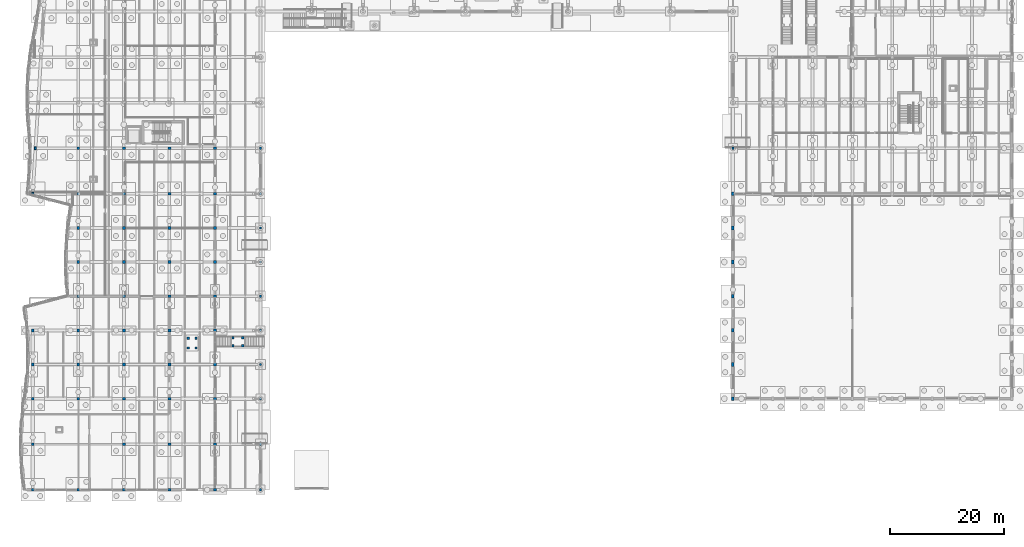
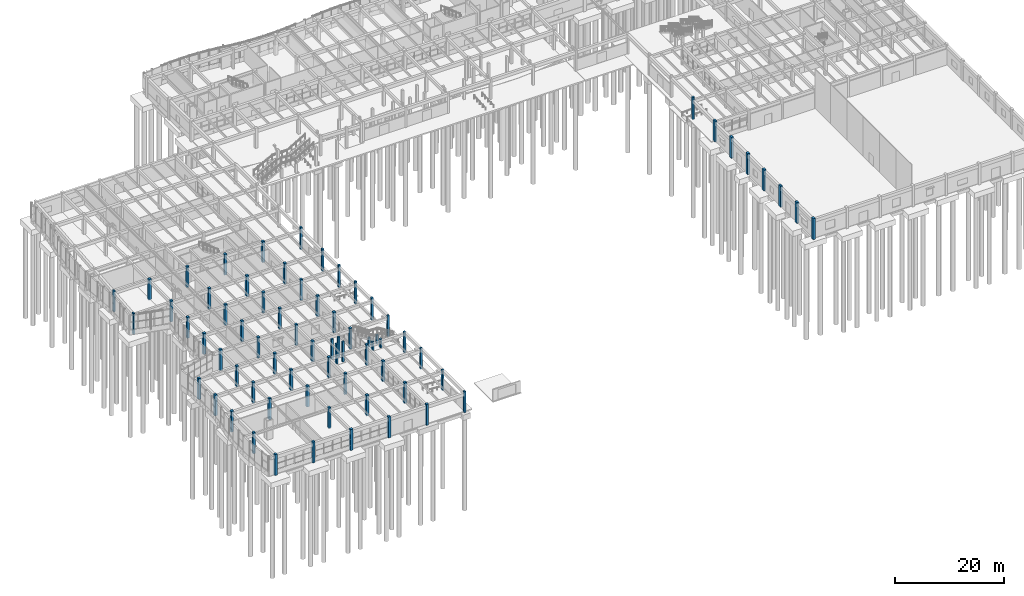
# One storey, part 10 of 99: 72 columns.
"""IFC4 building model written with IfcOpenShell, lengths in metres."""

from ifc_helpers import new_model, si_unit, direction, frame, origin, origin_2d, place, context, subcontext, project, spatial, rectangle, extrude, material, material_profile, profile_set, type_object, element, save


model = new_model("IFC4")

# Units and contexts
model_context = context("Model", 3, precision=1e-05, world=origin(), true_north=direction((0.0, 1.0)))
body_context = subcontext(model_context, "Body", "Model", "MODEL_VIEW")
ifc_project = project(units=[si_unit("LENGTHUNIT", "METRE"), si_unit("AREAUNIT", "SQUARE_METRE"), si_unit("VOLUMEUNIT", "CUBIC_METRE"), si_unit("PLANEANGLEUNIT", "RADIAN"), si_unit("MASSUNIT", "GRAM", prefix="KILO")], contexts=[model_context])

# Site, building, storey
site_placement = place(None, origin())
site = spatial("IfcSite", under=ifc_project, at=site_placement, CompositionType="ELEMENT")
building_placement = place(site_placement, origin())
building = spatial("IfcBuilding", under=site, at=building_placement, Name="Tonlespit Floodbar School", CompositionType="ELEMENT")
storey_placement = place(building_placement, origin())
storey = spatial("IfcBuildingStorey", under=building, at=storey_placement, Name="L00", CompositionType="ELEMENT", Elevation=0.0)

# Columns
ifc_material = material(Name="Concrete C40/50", Category="concrete")
ifc_material_profile_1 = material_profile(ifc_material, rectangle(XDim=0.39990234375, YDim=0.39990234375, at=origin_2d()), Name="RC 400x400")
ifc_profile_set_1 = profile_set([ifc_material_profile_1], Name="Concrete C40/50")
column_type_1 = type_object("IfcColumnType", Name="Column_RC_400x400", PredefinedType="COLUMN", material=ifc_profile_set_1)
for number, where, z_axis, x_axis, name in (
    (1, (44.0, 4.0, -0.199951171875), (0.0, 0.0, 1.0), (1.0, 0.0, 0.0), "L00 column U06/V01"),
    (2, (44.0, 12.0, -0.199951171875), (0.0, 0.0, 1.0), (1.0, 0.0, 0.0), "L00 column U06/V02"),
    (3, (44.0, 20.0, -0.199951171875), (0.0, 0.0, 1.0), (1.0, 0.0, 0.0), "L00 column U06/V03"),
    (4, (44.0, 26.0, -0.199951171875), (0.0, 0.0, 1.0), (1.0, 0.0, 0.0), "L00 column U06/V04"),
    (5, (44.0, 32.0, -0.199951171875), (0.0, 0.0, 1.0), (1.0, 0.0, 0.0), "L00 column U06/V05"),
):
    element("IfcColumn", number, at=place(storey_placement, frame(where, z_axis=z_axis, x_axis=x_axis)), inside=storey, type_object=column_type_1, Name=name, PredefinedType="COLUMN", context=body_context, shape_type="SweptSolid", body=[
        extrude(rectangle(XDim=0.39990234375, YDim=0.39990234375, at=origin_2d()), origin(), (0.0, 0.0, 1.0), 4.699951171875),
    ])
for number, where, z_axis, x_axis, name in (
    (6, (44.0, 38.0, -0.199951171875), (0.0, 0.0, 1.0), (1.0, 0.0, 0.0), "L00 column U06/V06"),
    (7, (44.0, 44.0, -0.199951171875), (0.0, 0.0, 1.0), (1.0, 0.0, 0.0), "L00 column U06/V07"),
    (8, (44.0, 50.0, -0.199951171875), (0.0, 0.0, 1.0), (1.0, 0.0, 0.0), "L00 column U06/V08"),
    (9, (44.0, 56.0, -0.199951171875), (0.0, 0.0, 1.0), (1.0, 0.0, 0.0), "L00 column U06/V09"),
    (10, (44.0, 64.0, -0.199951171875), (0.0, 0.0, 1.0), (1.0, 0.0, 0.0), "L00 column U06/V10"),
):
    element("IfcColumn", number, at=place(storey_placement, frame(where, z_axis=z_axis, x_axis=x_axis)), inside=storey, type_object=column_type_1, Name=name, PredefinedType="COLUMN", context=body_context, shape_type="SweptSolid", body=[
        extrude(rectangle(XDim=0.39990234375, YDim=0.39990234375, at=origin_2d()), origin(), (0.0, 0.0, 1.0), 5.047607421875),
    ])
column_placement = place(storey_placement, frame((127.0, 64.0, -0.199951171875), z_axis=(0.0, 0.0, 1.0), x_axis=(1.0, 0.0, 0.0)))
element("IfcColumn", 11, at=column_placement, inside=storey, type_object=column_type_1, Name="L00 column U15/V10", PredefinedType="COLUMN", context=body_context, shape_type="SweptSolid", body=[
    extrude(rectangle(XDim=0.39990234375, YDim=0.39990234375, at=origin_2d()), origin(), (0.0, 0.0, 1.0), 5.04296875),
])
for number, where, z_axis, x_axis, name in (
    (12, (40.8798828125, 30.679931640625, 0.0), (0.0, 0.0, 1.0), (1.0, 0.0, 0.0), "L00 stair ST-D1 landing column 1"),
    (13, (39.179931640625, 30.679931640625, 0.0), (0.0, 0.0, 1.0), (1.0, 0.0, 0.0), "L00 stair ST-D1 landing column 2"),
    (14, (39.179931640625, 29.320068359375, 0.0), (0.0, 0.0, 1.0), (1.0, 0.0, 0.0), "L00 stair ST-D1 landing column 3"),
    (15, (40.8798828125, 29.320068359375, 0.0), (0.0, 0.0, 1.0), (1.0, 0.0, 0.0), "L00 stair ST-D1 landing column 4"),
):
    element("IfcColumn", number, at=place(storey_placement, frame(where, z_axis=z_axis, x_axis=x_axis)), inside=storey, type_object=column_type_1, Name=name, PredefinedType="COLUMN", context=body_context, shape_type="SweptSolid", body=[
        extrude(rectangle(XDim=0.39990234375, YDim=0.39990234375, at=origin_2d()), origin(), (0.0, 0.0, 1.0), 2.050048828125),
    ])
for number, where, z_axis, x_axis, name in (
    (16, (31.320068359375, 30.60009765625, -0.0048828125), (0.0, 0.0, 1.0), (1.0, 0.0, 0.0), "L00 stair ST-D2 landing column 1"),
    (17, (31.320068359375, 28.89990234375, -0.0048828125), (0.0, 0.0, 1.0), (1.0, 0.0, 0.0), "L00 stair ST-D2 landing column 2"),
    (18, (32.679931640625, 28.89990234375, -0.0048828125), (0.0, 0.0, 1.0), (1.0, 0.0, 0.0), "L00 stair ST-D2 landing column 3"),
    (19, (32.679931640625, 30.60009765625, -0.0048828125), (0.0, 0.0, 1.0), (1.0, 0.0, 0.0), "L00 stair ST-D2 landing column 4"),
):
    element("IfcColumn", number, at=place(storey_placement, frame(where, z_axis=z_axis, x_axis=x_axis)), inside=storey, type_object=column_type_1, Name=name, PredefinedType="COLUMN", context=body_context, shape_type="SweptSolid", body=[
        extrude(rectangle(XDim=0.39990234375, YDim=0.39990234375, at=origin_2d()), origin(), (0.0, 0.0, 1.0), 4.5048828125),
    ])
ifc_material_profile_2 = material_profile(ifc_material, rectangle(XDim=0.449951171875, YDim=0.64990234375, at=origin_2d()), Name="RC 450x650")
ifc_profile_set_2 = profile_set([ifc_material_profile_2], Name="Concrete C40/50")
column_type_2 = type_object("IfcColumnType", Name="Column_RC_450x650", PredefinedType="COLUMN", material=ifc_profile_set_2)
for number, where, z_axis, x_axis, name in (
    (20, (127.0, 20.0, -0.199951171875), (0.0, 0.0, 1.0), (1.0, 0.0, 0.0), "L00 column U15/V03"),
    (21, (127.0, 26.0, -0.199951171875), (0.0, 0.0, 1.0), (1.0, 0.0, 0.0), "L00 column U15/V04"),
    (22, (127.0, 32.0, -0.199951171875), (0.0, 0.0, 1.0), (1.0, 0.0, 0.0), "L00 column U15/V05"),
    (23, (127.0, 38.0, -0.199951171875), (0.0, 0.0, 1.0), (1.0, 0.0, 0.0), "L00 column U15/V06"),
    (24, (127.0, 44.0, -0.199951171875), (0.0, 0.0, 1.0), (1.0, 0.0, 0.0), "L00 column U15/V07"),
    (25, (127.0, 50.0, -0.199951171875), (0.0, 0.0, 1.0), (1.0, 0.0, 0.0), "L00 column U15/V08"),
    (26, (127.0, 56.0, -0.199951171875), (0.0, 0.0, 1.0), (1.0, 0.0, 0.0), "L00 column U15/V09"),
):
    element("IfcColumn", number, at=place(storey_placement, frame(where, z_axis=z_axis, x_axis=x_axis)), inside=storey, type_object=column_type_2, Name=name, PredefinedType="COLUMN", context=body_context, shape_type="SweptSolid", body=[
        extrude(rectangle(XDim=0.449951171875, YDim=0.64990234375, at=origin_2d()), origin(), (0.0, 0.0, 1.0), 4.699951171875),
    ])
ifc_material_profile_3 = material_profile(ifc_material, rectangle(XDim=0.5, YDim=0.5, at=origin_2d()), Name="RC 500x500")
ifc_profile_set_3 = profile_set([ifc_material_profile_3], Name="Concrete C40/50")
column_type_3 = type_object("IfcColumnType", Name="Column_RC_500x500", PredefinedType="COLUMN", material=ifc_profile_set_3)
for number, where, z_axis, x_axis, name in (
    (27, (4.0, 4.0, -0.199951171875), (0.0, 0.0, 1.0), (1.0, 0.0, 0.0), "L00 column U01/V01"),
    (28, (4.0, 12.0, -0.199951171875), (0.0, 0.0, 1.0), (1.0, 0.0, 0.0), "L00 column U01/V02"),
    (29, (4.0, 20.0, -0.199951171875), (0.0, 0.0, 1.0), (1.0, 0.0, 0.0), "L00 column U01/V03"),
    (30, (4.0, 26.0, -0.199951171875), (0.0, 0.0, 1.0), (1.0, 0.0, 0.0), "L00 column U01/V04"),
    (31, (4.0, 32.0, -0.199951171875), (0.0, 0.0, 1.0), (1.0, 0.0, 0.0), "L00 column U01/V05"),
    (32, (12.0, 4.0, -0.199951171875), (0.0, 0.0, 1.0), (1.0, 0.0, 0.0), "L00 column U02/V01"),
    (33, (12.0, 20.0, -0.199951171875), (0.0, 0.0, 1.0), (1.0, 0.0, 0.0), "L00 column U02/V03"),
    (34, (12.0, 26.0, -0.199951171875), (0.0, 0.0, 1.0), (1.0, 0.0, 0.0), "L00 column U02/V04"),
    (35, (12.0, 32.0, -0.199951171875), (0.0, 0.0, 1.0), (1.0, 0.0, 0.0), "L00 column U02/V05"),
    (36, (12.0, 38.0, -0.199951171875), (0.0, 0.0, 1.0), (1.0, 0.0, 0.0), "L00 column U02/V06"),
    (37, (12.0, 44.0, -0.199951171875), (0.0, 0.0, 1.0), (1.0, 0.0, 0.0), "L00 column U02/V07"),
    (38, (12.0, 50.0, -0.199951171875), (0.0, 0.0, 1.0), (1.0, 0.0, 0.0), "L00 column U02/V08"),
    (39, (12.0, 56.0, -0.199951171875), (0.0, 0.0, 1.0), (1.0, 0.0, 0.0), "L00 column U02/V09"),
    (40, (12.0, 64.0, -0.199951171875), (0.0, 0.0, 1.0), (1.0, 0.0, 0.0), "L00 column U02/V10"),
    (41, (20.0, 4.0, -0.199951171875), (0.0, 0.0, 1.0), (1.0, 0.0, 0.0), "L00 column U03/V01"),
    (42, (20.0, 12.0, -0.199951171875), (0.0, 0.0, 1.0), (1.0, 0.0, 0.0), "L00 column U03/V02"),
    (43, (20.0, 20.0, -0.199951171875), (0.0, 0.0, 1.0), (1.0, 0.0, 0.0), "L00 column U03/V03"),
    (44, (20.0, 26.0, -0.199951171875), (0.0, 0.0, 1.0), (1.0, 0.0, 0.0), "L00 column U03/V04"),
    (45, (20.0, 32.0, -0.199951171875), (0.0, 0.0, 1.0), (1.0, 0.0, 0.0), "L00 column U03/V05"),
    (46, (20.0, 38.0, -0.199951171875), (0.0, 0.0, 1.0), (1.0, 0.0, 0.0), "L00 column U03/V06"),
    (47, (20.0, 44.0, -0.199951171875), (0.0, 0.0, 1.0), (1.0, 0.0, 0.0), "L00 column U03/V07"),
    (48, (20.0, 50.0, -0.199951171875), (0.0, 0.0, 1.0), (1.0, 0.0, 0.0), "L00 column U03/V08"),
    (49, (20.0, 56.0, -0.199951171875), (0.0, 0.0, 1.0), (1.0, 0.0, 0.0), "L00 column U03/V09"),
    (50, (20.0, 64.0, -0.199951171875), (0.0, 0.0, 1.0), (1.0, 0.0, 0.0), "L00 column U03/V10"),
    (51, (28.0, 4.0, -0.199951171875), (0.0, 0.0, 1.0), (1.0, 0.0, 0.0), "L00 column U04/V01"),
    (52, (28.0, 12.0, -0.199951171875), (0.0, 0.0, 1.0), (1.0, 0.0, 0.0), "L00 column U04/V02"),
    (53, (28.0, 20.0, -0.199951171875), (0.0, 0.0, 1.0), (1.0, 0.0, 0.0), "L00 column U04/V03"),
    (54, (28.0, 26.0, -0.199951171875), (0.0, 0.0, 1.0), (1.0, 0.0, 0.0), "L00 column U04/V04"),
    (55, (28.0, 32.0, -0.199951171875), (0.0, 0.0, 1.0), (1.0, 0.0, 0.0), "L00 column U04/V05"),
    (56, (28.0, 38.0, -0.199951171875), (0.0, 0.0, 1.0), (1.0, 0.0, 0.0), "L00 column U04/V06"),
    (57, (28.0, 44.0, -0.199951171875), (0.0, 0.0, 1.0), (1.0, 0.0, 0.0), "L00 column U04/V07"),
    (58, (28.0, 50.0, -0.199951171875), (0.0, 0.0, 1.0), (1.0, 0.0, 0.0), "L00 column U04/V08"),
    (59, (28.0, 56.0, -0.199951171875), (0.0, 0.0, 1.0), (1.0, 0.0, 0.0), "L00 column U04/V09"),
    (60, (28.0, 64.0, -0.199951171875), (0.0, 0.0, 1.0), (1.0, 0.0, 0.0), "L00 column U04/V10"),
    (61, (36.0, 4.0, -0.199951171875), (0.0, 0.0, 1.0), (1.0, 0.0, 0.0), "L00 column U05/V01"),
    (62, (36.0, 12.0, -0.199951171875), (0.0, 0.0, 1.0), (1.0, 0.0, 0.0), "L00 column U05/V02"),
    (63, (36.0, 20.0, -0.199951171875), (0.0, 0.0, 1.0), (1.0, 0.0, 0.0), "L00 column U05/V03"),
    (64, (36.0, 26.0, -0.199951171875), (0.0, 0.0, 1.0), (1.0, 0.0, 0.0), "L00 column U05/V04"),
    (65, (36.0, 32.0, -0.199951171875), (0.0, 0.0, 1.0), (1.0, 0.0, 0.0), "L00 column U05/V05"),
    (66, (36.0, 38.0, -0.199951171875), (0.0, 0.0, 1.0), (1.0, 0.0, 0.0), "L00 column U05/V06"),
    (67, (36.0, 44.0, -0.199951171875), (0.0, 0.0, 1.0), (1.0, 0.0, 0.0), "L00 column U05/V07"),
    (68, (36.0, 50.0, -0.199951171875), (0.0, 0.0, 1.0), (1.0, 0.0, 0.0), "L00 column U05/V08"),
    (69, (36.0, 56.0, -0.199951171875), (0.0, 0.0, 1.0), (1.0, 0.0, 0.0), "L00 column U05/V09"),
    (70, (36.0, 64.0, -0.199951171875), (0.0, 0.0, 1.0), (1.0, 0.0, 0.0), "L00 column U05/V10"),
):
    element("IfcColumn", number, at=place(storey_placement, frame(where, z_axis=z_axis, x_axis=x_axis)), inside=storey, type_object=column_type_3, Name=name, PredefinedType="COLUMN", context=body_context, shape_type="SweptSolid", body=[
        extrude(rectangle(XDim=0.5, YDim=0.5, at=origin_2d()), origin(), (0.0, 0.0, 1.0), 4.699951171875),
    ])
ifc_material_profile_4 = material_profile(ifc_material, rectangle(XDim=0.35009765625, YDim=0.5, at=origin_2d()), Name="RC 350x500")
ifc_profile_set_4 = profile_set([ifc_material_profile_4], Name="Concrete C40/50")
column_type_4 = type_object("IfcColumnType", Name="Pilaster_RC_350x500", PredefinedType="PILASTER", material=ifc_profile_set_4)
for number, where, z_axis, x_axis, name in (
    (71, (4.0, 56.0, -0.199951171875), (0.0, 0.0, 1.0), (1.0, 0.0, 0.0), "L00 column U01S/V09"),
    (72, (4.47998046875, 64.0, -0.199951171875), (0.0, 0.0, 1.0), (1.0, 0.0, 0.0), "L00 column U01S/V10"),
):
    element("IfcColumn", number, at=place(storey_placement, frame(where, z_axis=z_axis, x_axis=x_axis)), inside=storey, type_object=column_type_4, Name=name, PredefinedType="PILASTER", context=body_context, shape_type="SweptSolid", body=[
        extrude(rectangle(XDim=0.35009765625, YDim=0.5, at=origin_2d()), origin(), (0.0, 0.0, 1.0), 4.699951171875),
    ])

save(model, "model.ifc")
